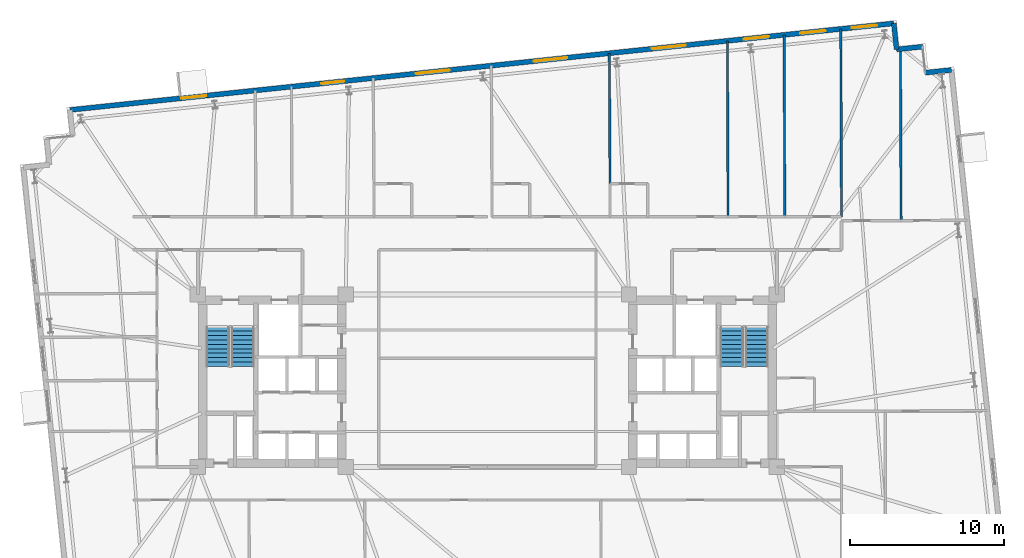
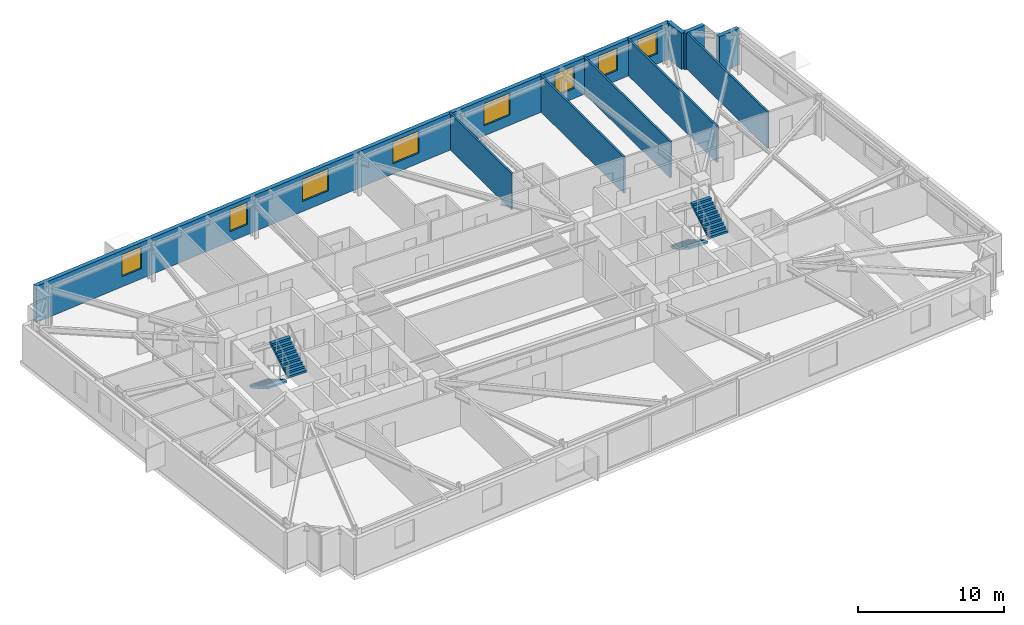
# One storey, part 20 of 23: 9 walls, 8 windows, 4 stair flights, 8 openings, 2 elements without a shape of their own.
"""IFC4 building model written with IfcOpenShell, lengths in metres."""

from ifc_helpers import new_model, si_unit, direction, frame, frame_2d, origin, place, context, subcontext, project, spatial, polyline, rectangle, outline, extrude, material, layer, layer_set, type_object, element, fill, aggregate, save


model = new_model("IFC4")

# Units and contexts
model_context = context("Model", 3, precision=1e-05, world=origin(), true_north=direction((0.0, 1.0)))
body_context = subcontext(model_context, "Body", "Model", "MODEL_VIEW")
ifc_project = project(units=[si_unit("LENGTHUNIT", "METRE"), si_unit("AREAUNIT", "SQUARE_METRE"), si_unit("VOLUMEUNIT", "CUBIC_METRE"), si_unit("PLANEANGLEUNIT", "RADIAN"), si_unit("MASSUNIT", "GRAM", prefix="KILO")], contexts=[model_context])

# Site, building, storey
site_placement = place(None, origin())
site = spatial("IfcSite", under=ifc_project, at=site_placement, CompositionType="ELEMENT")
building_placement = place(site_placement, origin())
building = spatial("IfcBuilding", under=site, at=building_placement, Name="Qobustan Lattice House", CompositionType="ELEMENT")
storey_placement = place(building_placement, frame((0.0, 0.0, 102.449951171875)))
storey = spatial("IfcBuildingStorey", under=building, at=storey_placement, Name="L28", CompositionType="ELEMENT", Elevation=102.449951171875)

# Wall, openings, windows
ifc_material_1 = material(Name="Precast concrete C40/50", Category="concrete")
ifc_layer_1 = layer(ifc_material_1, 0.320068359375)
ifc_layer_set_1 = layer_set([ifc_layer_1], Name="Precast concrete C40/50")
wall_type_1 = type_object("IfcWallType", Name="WAL-EXT-STONE-320", PredefinedType="SOLIDWALL", material=ifc_layer_set_1)
wall_1_placement = place(storey_placement, frame((-27.107421875, 17.585693359375, 0.0), z_axis=(0.0, 0.0, 1.0), x_axis=(0.994521628355, 0.104531003701, 0.0)))
wall_1 = element("IfcWall", 1, at=wall_1_placement, inside=storey, type_object=wall_type_1, Name="L28 exterior limestone-clad wall 10", PredefinedType="SOLIDWALL", context=body_context, shape_type="SweptSolid", body=[
    extrude(rectangle(XDim=53.800048828125, YDim=0.320068359375, at=frame_2d((26.89990234375, 0.0))), origin(), (0.0, 0.0, 1.0), 3.045166015625),
])
opening_1_placement = place(wall_1_placement, frame((7.260986328125, 0.0, 0.85009765625)))
opening_1 = element("IfcOpeningElement", 2, at=opening_1_placement, cuts=wall_1, Name="Opening WN-09", PredefinedType="OPENING", context=body_context, shape_type="SweptSolid", body=[
    extrude(rectangle(XDim=1.64990234375, YDim=1.85009765625, at=frame_2d((0.824951171875, 0.925048828125))), frame((0.0, 0.169921875, 0.0), z_axis=(0.0, -1.0, 0.0), x_axis=(1.0, 0.0, 0.0)), (0.0, 0.0, 1.0), 0.340087890625),
])
opening_2_placement = place(wall_1_placement, frame((16.4228515625, 0.0, 0.85009765625)))
opening_2 = element("IfcOpeningElement", 3, at=opening_2_placement, cuts=wall_1, Name="Opening WN-01", PredefinedType="OPENING", context=body_context, shape_type="SweptSolid", body=[
    extrude(rectangle(XDim=1.5, YDim=1.85009765625, at=frame_2d((0.75, 0.925048828125))), frame((0.0, 0.169921875, 0.0), z_axis=(0.0, -1.0, 0.0), x_axis=(1.0, 0.0, 0.0)), (0.0, 0.0, 1.0), 0.340087890625),
])
opening_3_placement = place(wall_1_placement, frame((22.59765625, 0.0, 0.85009765625)))
opening_3 = element("IfcOpeningElement", 4, at=opening_3_placement, cuts=wall_1, Name="Opening WN-03", PredefinedType="OPENING", context=body_context, shape_type="SweptSolid", body=[
    extrude(rectangle(XDim=2.199951171875, YDim=1.85009765625, at=frame_2d((1.10009765625, 0.925048828125))), frame((0.0, 0.169921875, 0.0), z_axis=(0.0, -1.0, 0.0), x_axis=(1.0, 0.0, 0.0)), (0.0, 0.0, 1.0), 0.340087890625),
])
opening_4_placement = place(wall_1_placement, frame((30.283447265625, 0.0, 0.85009765625)))
opening_4 = element("IfcOpeningElement", 5, at=opening_4_placement, cuts=wall_1, Name="Opening WN-03", PredefinedType="OPENING", context=body_context, shape_type="SweptSolid", body=[
    extrude(rectangle(XDim=2.199951171875, YDim=1.85009765625, at=frame_2d((1.10009765625, 0.925048828125))), frame((0.0, 0.169921875, 0.0), z_axis=(0.0, -1.0, 0.0), x_axis=(1.0, 0.0, 0.0)), (0.0, 0.0, 1.0), 0.340087890625),
])
opening_5_placement = place(wall_1_placement, frame((38.009033203125, 0.0, 0.85009765625)))
opening_5 = element("IfcOpeningElement", 6, at=opening_5_placement, cuts=wall_1, Name="Opening WN-03", PredefinedType="OPENING", context=body_context, shape_type="SweptSolid", body=[
    extrude(rectangle(XDim=2.199951171875, YDim=1.85009765625, at=frame_2d((1.10009765625, 0.925048828125))), frame((0.0, 0.169921875, 0.0), z_axis=(0.0, -1.0, 0.0), x_axis=(1.0, 0.0, 0.0)), (0.0, 0.0, 1.0), 0.340087890625),
])
opening_6_placement = place(wall_1_placement, frame((44.00830078125, 0.0, 0.85009765625)))
opening_6 = element("IfcOpeningElement", 7, at=opening_6_placement, cuts=wall_1, Name="Opening WN-09", PredefinedType="OPENING", context=body_context, shape_type="SweptSolid", body=[
    extrude(rectangle(XDim=1.64990234375, YDim=1.85009765625, at=frame_2d((0.824951171875, 0.925048828125))), frame((0.0, 0.169921875, 0.0), z_axis=(0.0, -1.0, 0.0), x_axis=(1.0, 0.0, 0.0)), (0.0, 0.0, 1.0), 0.340087890625),
])
opening_7_placement = place(wall_1_placement, frame((47.691162109375, 0.0, 0.85009765625)))
opening_7 = element("IfcOpeningElement", 8, at=opening_7_placement, cuts=wall_1, Name="Opening WN-09", PredefinedType="OPENING", context=body_context, shape_type="SweptSolid", body=[
    extrude(rectangle(XDim=1.64990234375, YDim=1.85009765625, at=frame_2d((0.824951171875, 0.925048828125))), frame((0.0, 0.169921875, 0.0), z_axis=(0.0, -1.0, 0.0), x_axis=(1.0, 0.0, 0.0)), (0.0, 0.0, 1.0), 0.340087890625),
])
opening_8_placement = place(wall_1_placement, frame((51.0537109375, 0.0, 0.85009765625)))
opening_8 = element("IfcOpeningElement", 9, at=opening_8_placement, cuts=wall_1, Name="Opening WN-09", PredefinedType="OPENING", context=body_context, shape_type="SweptSolid", body=[
    extrude(rectangle(XDim=1.64990234375, YDim=1.85009765625, at=frame_2d((0.824951171875, 0.925048828125))), frame((0.0, 0.169921875, 0.0), z_axis=(0.0, -1.0, 0.0), x_axis=(1.0, 0.0, 0.0)), (0.0, 0.0, 1.0), 0.340087890625),
])
ifc_material_2 = material(Name="Double-glazed low-E aluminium window", Category="aluminium")
window_type_1 = type_object("IfcWindowType", Name="WIN-BED-1500x1850", PartitioningType="SINGLE_PANEL", PredefinedType="WINDOW", material=ifc_material_2)
window_1_placement = place(opening_2_placement, origin())
window_1 = element("IfcWindow", 10, at=window_1_placement, inside=storey, type_object=window_type_1, Name="L28 Laundry utility room window", OverallHeight=1.85009765625, OverallWidth=1.5, PartitioningType="SINGLE_PANEL", PredefinedType="WINDOW", context=body_context, shape_type="SweptSolid", body=[
    extrude(rectangle(XDim=1.5, YDim=1.85009765625, at=frame_2d((0.75, 0.925048828125))), frame((0.0, 0.030029296875, 0.0), z_axis=(0.0, -1.0, 0.0), x_axis=(1.0, 0.0, 0.0)), (0.0, 0.0, 1.0), 0.06005859375),
])
fill(opening_2, window_1)
ifc_material_3 = material(Name="Double-glazed low-E aluminium window", Category="aluminium")
window_type_2 = type_object("IfcWindowType", Name="WIN-STU-1650x1850", PartitioningType="SINGLE_PANEL", PredefinedType="WINDOW", material=ifc_material_3)
window_2_placement = place(opening_1_placement, origin())
window_2 = element("IfcWindow", 11, at=window_2_placement, inside=storey, type_object=window_type_2, Name="L28 Focus study room N1 window", OverallHeight=1.85009765625, OverallWidth=1.64990234375, PartitioningType="SINGLE_PANEL", PredefinedType="WINDOW", context=body_context, shape_type="SweptSolid", body=[
    extrude(rectangle(XDim=1.64990234375, YDim=1.85009765625, at=frame_2d((0.824951171875, 0.925048828125))), frame((0.0, 0.030029296875, 0.0), z_axis=(0.0, -1.0, 0.0), x_axis=(1.0, 0.0, 0.0)), (0.0, 0.0, 1.0), 0.06005859375),
])
fill(opening_1, window_2)
window_3_placement = place(opening_6_placement, origin())
window_3 = element("IfcWindow", 12, at=window_3_placement, inside=storey, type_object=window_type_2, Name="L28 Focus study room N6A window", OverallHeight=1.85009765625, OverallWidth=1.64990234375, PartitioningType="SINGLE_PANEL", PredefinedType="WINDOW", context=body_context, shape_type="SweptSolid", body=[
    extrude(rectangle(XDim=1.64990234375, YDim=1.85009765625, at=frame_2d((0.824951171875, 0.925048828125))), frame((0.0, 0.030029296875, 0.0), z_axis=(0.0, -1.0, 0.0), x_axis=(1.0, 0.0, 0.0)), (0.0, 0.0, 1.0), 0.06005859375),
])
fill(opening_6, window_3)
window_4_placement = place(opening_7_placement, origin())
window_4 = element("IfcWindow", 13, at=window_4_placement, inside=storey, type_object=window_type_2, Name="L28 Focus study room N6B window", OverallHeight=1.85009765625, OverallWidth=1.64990234375, PartitioningType="SINGLE_PANEL", PredefinedType="WINDOW", context=body_context, shape_type="SweptSolid", body=[
    extrude(rectangle(XDim=1.64990234375, YDim=1.85009765625, at=frame_2d((0.824951171875, 0.925048828125))), frame((0.0, 0.030029296875, 0.0), z_axis=(0.0, -1.0, 0.0), x_axis=(1.0, 0.0, 0.0)), (0.0, 0.0, 1.0), 0.06005859375),
])
fill(opening_7, window_4)
window_5_placement = place(opening_8_placement, origin())
window_5 = element("IfcWindow", 14, at=window_5_placement, inside=storey, type_object=window_type_2, Name="L28 Focus study room E3A window", OverallHeight=1.85009765625, OverallWidth=1.64990234375, PartitioningType="SINGLE_PANEL", PredefinedType="WINDOW", context=body_context, shape_type="SweptSolid", body=[
    extrude(rectangle(XDim=1.64990234375, YDim=1.85009765625, at=frame_2d((0.824951171875, 0.925048828125))), frame((0.0, 0.030029296875, 0.0), z_axis=(0.0, -1.0, 0.0), x_axis=(1.0, 0.0, 0.0)), (0.0, 0.0, 1.0), 0.06005859375),
])
fill(opening_8, window_5)
ifc_material_4 = material(Name="Double-glazed low-E aluminium window", Category="aluminium")
window_type_3 = type_object("IfcWindowType", Name="WIN-WIDE-2200x1850", PartitioningType="SINGLE_PANEL", PredefinedType="WINDOW", material=ifc_material_4)
window_6_placement = place(opening_3_placement, origin())
window_6 = element("IfcWindow", 15, at=window_6_placement, inside=storey, type_object=window_type_3, Name="L28 Kitchenette and studio apartment L28-N3 window", OverallHeight=1.85009765625, OverallWidth=2.199951171875, PartitioningType="SINGLE_PANEL", PredefinedType="WINDOW", context=body_context, shape_type="SweptSolid", body=[
    extrude(rectangle(XDim=2.199951171875, YDim=1.85009765625, at=frame_2d((1.10009765625, 0.925048828125))), frame((0.0, 0.030029296875, 0.0), z_axis=(0.0, -1.0, 0.0), x_axis=(1.0, 0.0, 0.0)), (0.0, 0.0, 1.0), 0.06005859375),
])
fill(opening_3, window_6)
window_7_placement = place(opening_4_placement, origin())
window_7 = element("IfcWindow", 16, at=window_7_placement, inside=storey, type_object=window_type_3, Name="L28 Kitchenette and studio apartment L28-N4 window", OverallHeight=1.85009765625, OverallWidth=2.199951171875, PartitioningType="SINGLE_PANEL", PredefinedType="WINDOW", context=body_context, shape_type="SweptSolid", body=[
    extrude(rectangle(XDim=2.199951171875, YDim=1.85009765625, at=frame_2d((1.10009765625, 0.925048828125))), frame((0.0, 0.030029296875, 0.0), z_axis=(0.0, -1.0, 0.0), x_axis=(1.0, 0.0, 0.0)), (0.0, 0.0, 1.0), 0.06005859375),
])
fill(opening_4, window_7)
window_8_placement = place(opening_5_placement, origin())
window_8 = element("IfcWindow", 17, at=window_8_placement, inside=storey, type_object=window_type_3, Name="L28 Kitchenette and studio apartment L28-N5 window", OverallHeight=1.85009765625, OverallWidth=2.199951171875, PartitioningType="SINGLE_PANEL", PredefinedType="WINDOW", context=body_context, shape_type="SweptSolid", body=[
    extrude(rectangle(XDim=2.199951171875, YDim=1.85009765625, at=frame_2d((1.10009765625, 0.925048828125))), frame((0.0, 0.030029296875, 0.0), z_axis=(0.0, -1.0, 0.0), x_axis=(1.0, 0.0, 0.0)), (0.0, 0.0, 1.0), 0.06005859375),
])
fill(opening_5, window_8)

# Walls
for number, where, z_axis, x_axis, name in (
    (18, (26.39794921875, 23.20947265625, 0.0), (0.0, 0.0, 1.0), (0.104550220202, -0.994519608382, 0.0), "L28 exterior limestone-clad wall 11"),
    (19, (26.57568359375, 21.518798828125, 0.0), (0.0, 0.0, 1.0), (0.994534530939, 0.104408173862, 0.0), "L28 exterior limestone-clad wall 12"),
    (20, (28.444091796875, 20.005615234375, 0.0), (0.0, 0.0, 1.0), (0.994519608382, 0.104550220202, 0.0), "L28 exterior limestone-clad wall 14"),
):
    element("IfcWall", number, at=place(storey_placement, frame(where, z_axis=z_axis, x_axis=x_axis)), inside=storey, type_object=wall_type_1, Name=name, PredefinedType="SOLIDWALL", context=body_context, shape_type="SweptSolid", body=[
        extrude(rectangle(XDim=1.699951171875, YDim=0.320068359375, at=frame_2d((0.85009765625, 0.0))), origin(), (0.0, 0.0, 1.0), 3.045166015625),
    ])
ifc_material_5 = material(Name="Acoustic twin-stud gypsum partition", Category="gypsum")
ifc_layer_2 = layer(ifc_material_5, 0.14990234375)
ifc_layer_set_2 = layer_set([ifc_layer_2], Name="Acoustic twin-stud gypsum partition")
wall_type_2 = type_object("IfcWallType", Name="WAL-PART-150", PredefinedType="PARTITIONING", material=ifc_layer_set_2)
wall_2_placement = place(storey_placement, frame((26.8271484375, 21.545166015625, 0.0), z_axis=(0.0, 0.0, 1.0), x_axis=(0.003938700302, -0.99999224329, 0.0)))
element("IfcWall", 21, at=wall_2_placement, inside=storey, type_object=wall_type_2, Name="L28 interior partition 87", PredefinedType="PARTITIONING", context=body_context, shape_type="SweptSolid", body=[
    extrude(rectangle(XDim=11.1572265625, YDim=0.14990234375, at=frame_2d((5.57861328125, 0.0))), origin(), (0.0, 0.0, 1.0), 3.045166015625),
])
wall_3_placement = place(storey_placement, frame((23.0, 10.64990234375, 0.0), z_axis=(0.0, 0.0, 1.0), x_axis=(-0.0036027147, 0.999993510202, 0.0)))
element("IfcWall", 22, at=wall_3_placement, inside=storey, type_object=wall_type_2, Name="L28 interior partition 88", PredefinedType="PARTITIONING", context=body_context, shape_type="SweptSolid", body=[
    extrude(rectangle(XDim=12.19775390625, YDim=0.14990234375, at=frame_2d((6.098876953125, 0.0))), origin(), (0.0, 0.0, 1.0), 3.045166015625),
])
wall_4_placement = place(storey_placement, frame((7.923095703125, 21.267578125, 0.0), z_axis=(0.0, 0.0, 1.0), x_axis=(0.005189792576, -0.999986532936, 0.0)))
element("IfcWall", 23, at=wall_4_placement, inside=storey, type_object=wall_type_2, Name="L28 interior partition 99", PredefinedType="PARTITIONING", context=body_context, shape_type="SweptSolid", body=[
    extrude(rectangle(XDim=8.467529296875, YDim=0.14990234375, at=frame_2d((4.23388671875, 0.0))), origin(), (0.0, 0.0, 1.0), 3.045166015625),
])
wall_5_placement = place(storey_placement, frame((15.589111328125, 22.0732421875, 0.0), z_axis=(0.0, 0.0, 1.0), x_axis=(0.003846947384, -0.999992600471, 0.0)))
element("IfcWall", 24, at=wall_5_placement, inside=storey, type_object=wall_type_2, Name="L28 interior partition 103", PredefinedType="PARTITIONING", context=body_context, shape_type="SweptSolid", body=[
    extrude(rectangle(XDim=11.42333984375, YDim=0.14990234375, at=frame_2d((5.711669921875, 0.0))), origin(), (0.0, 0.0, 1.0), 3.045166015625),
])
wall_6_placement = place(storey_placement, frame((19.272705078125, 22.46044921875, 0.0), z_axis=(0.0, 0.0, 1.0), x_axis=(0.003700156578, -0.999993154397, 0.0)))
element("IfcWall", 25, at=wall_6_placement, inside=storey, type_object=wall_type_2, Name="L28 interior partition 104", PredefinedType="PARTITIONING", context=body_context, shape_type="SweptSolid", body=[
    extrude(rectangle(XDim=11.810546875, YDim=0.14990234375, at=frame_2d((5.9052734375, 0.0))), origin(), (0.0, 0.0, 1.0), 3.045166015625),
])

# Stair, stair flights
ifc_material_6 = material(Name="Concrete C40/50", Category="concrete")
stair_type = type_object("IfcStairType", Name="STR-CORE-DOGLEG", PredefinedType="HALF_TURN_STAIR", material=ifc_material_6)
stair_1_placement = place(storey_placement, origin())
stair_1 = element("IfcStair", 26, at=stair_1_placement, inside=storey, type_object=stair_type, Name="L28 West protected exit stair ST-W1", PredefinedType="HALF_TURN_STAIR")
ifc_material_7 = material(Name="Concrete C40/50", Category="concrete")
stair_flight_type = type_object("IfcStairFlightType", Name="SFL-RC-1500", PredefinedType="STRAIGHT", material=ifc_material_7)
stair_flight_1_placement = place(storey_placement, frame((-17.5, 3.5, 0.0), z_axis=(0.0, 0.0, 1.0), x_axis=(0.0, -1.0, 0.0)))
stair_flight_1 = element("IfcStairFlight", 27, at=stair_flight_1_placement, type_object=stair_flight_type, Name="ST-W1 flight 1", NumberOfRisers=10, NumberOfTreads=9, PredefinedType="STRAIGHT", RiserHeight=0.1675, TreadLength=0.285, context=body_context, shape_type="SweptSolid", body=[
    extrude(outline(polyline([(0.0, 0.0), (0.0, 0.16748046875), (0.284912109375, 0.16748046875), (0.284912109375, 0.3349609375), (0.570068359375, 0.3349609375), (0.570068359375, 0.50244140625), (0.85498046875, 0.50244140625), (0.85498046875, 0.669921875), (1.139892578125, 0.669921875), (1.139892578125, 0.83740234375), (1.425048828125, 0.83740234375), (1.425048828125, 1.0048828125), (1.7099609375, 1.0048828125), (1.7099609375, 1.172607421875), (1.9951171875, 1.172607421875), (1.9951171875, 1.340087890625), (2.280029296875, 1.340087890625), (2.280029296875, 1.507568359375), (2.56494140625, 1.507568359375), (2.56494140625, 1.675048828125), (2.56494140625, 1.333740234375), (0.2958984375, 0.0), (0.0, 0.0)])), frame((0.0, 0.75, 0.0), z_axis=(0.0, -1.0, 0.0), x_axis=(1.0, 0.0, 0.0)), (0.0, 0.0, 1.0), 1.5),
])
stair_flight_2_placement = place(storey_placement, frame((-15.8798828125, 0.93505859375, 1.675048828125), z_axis=(0.0, 0.0, 1.0), x_axis=(0.0, 1.0, 0.0)))
stair_flight_2 = element("IfcStairFlight", 28, at=stair_flight_2_placement, type_object=stair_flight_type, Name="ST-W1 flight 2", NumberOfRisers=10, NumberOfTreads=9, PredefinedType="STRAIGHT", RiserHeight=0.1675, TreadLength=0.285, context=body_context, shape_type="SweptSolid", body=[
    extrude(outline(polyline([(0.0, 0.0), (0.0, 0.16748046875), (0.284912109375, 0.16748046875), (0.284912109375, 0.3349609375), (0.570068359375, 0.3349609375), (0.570068359375, 0.50244140625), (0.85498046875, 0.50244140625), (0.85498046875, 0.669921875), (1.139892578125, 0.669921875), (1.139892578125, 0.83740234375), (1.425048828125, 0.83740234375), (1.425048828125, 1.0048828125), (1.7099609375, 1.0048828125), (1.7099609375, 1.172607421875), (1.9951171875, 1.172607421875), (1.9951171875, 1.340087890625), (2.280029296875, 1.340087890625), (2.280029296875, 1.507568359375), (2.56494140625, 1.507568359375), (2.56494140625, 1.675048828125), (2.56494140625, 1.333740234375), (0.2958984375, 0.0), (0.0, 0.0)])), frame((0.0, 0.75, 0.0), z_axis=(0.0, -1.0, 0.0), x_axis=(1.0, 0.0, 0.0)), (0.0, 0.0, 1.0), 1.5),
])
aggregate(stair_1, [stair_flight_1, stair_flight_2])

stair_2_placement = place(storey_placement, origin())
stair_2 = element("IfcStair", 29, at=stair_2_placement, inside=storey, type_object=stair_type, Name="L28 East protected exit stair ST-E1", PredefinedType="HALF_TURN_STAIR")
stair_flight_3_placement = place(storey_placement, frame((15.8798828125, 3.5, 0.0), z_axis=(0.0, 0.0, 1.0), x_axis=(0.0, -1.0, 0.0)))
stair_flight_3 = element("IfcStairFlight", 30, at=stair_flight_3_placement, type_object=stair_flight_type, Name="ST-E1 flight 1", NumberOfRisers=10, NumberOfTreads=9, PredefinedType="STRAIGHT", RiserHeight=0.1675, TreadLength=0.285, context=body_context, shape_type="SweptSolid", body=[
    extrude(outline(polyline([(0.0, 0.0), (0.0, 0.16748046875), (0.284912109375, 0.16748046875), (0.284912109375, 0.3349609375), (0.570068359375, 0.3349609375), (0.570068359375, 0.50244140625), (0.85498046875, 0.50244140625), (0.85498046875, 0.669921875), (1.139892578125, 0.669921875), (1.139892578125, 0.83740234375), (1.425048828125, 0.83740234375), (1.425048828125, 1.0048828125), (1.7099609375, 1.0048828125), (1.7099609375, 1.172607421875), (1.9951171875, 1.172607421875), (1.9951171875, 1.340087890625), (2.280029296875, 1.340087890625), (2.280029296875, 1.507568359375), (2.56494140625, 1.507568359375), (2.56494140625, 1.675048828125), (2.56494140625, 1.333740234375), (0.2958984375, 0.0), (0.0, 0.0)])), frame((0.0, 0.75, 0.0), z_axis=(0.0, -1.0, 0.0), x_axis=(1.0, 0.0, 0.0)), (0.0, 0.0, 1.0), 1.5),
])
stair_flight_4_placement = place(storey_placement, frame((17.5, 0.93505859375, 1.675048828125), z_axis=(0.0, 0.0, 1.0), x_axis=(0.0, 1.0, 0.0)))
stair_flight_4 = element("IfcStairFlight", 31, at=stair_flight_4_placement, type_object=stair_flight_type, Name="ST-E1 flight 2", NumberOfRisers=10, NumberOfTreads=9, PredefinedType="STRAIGHT", RiserHeight=0.1675, TreadLength=0.285, context=body_context, shape_type="SweptSolid", body=[
    extrude(outline(polyline([(0.0, 0.0), (0.0, 0.16748046875), (0.284912109375, 0.16748046875), (0.284912109375, 0.3349609375), (0.570068359375, 0.3349609375), (0.570068359375, 0.50244140625), (0.85498046875, 0.50244140625), (0.85498046875, 0.669921875), (1.139892578125, 0.669921875), (1.139892578125, 0.83740234375), (1.425048828125, 0.83740234375), (1.425048828125, 1.0048828125), (1.7099609375, 1.0048828125), (1.7099609375, 1.172607421875), (1.9951171875, 1.172607421875), (1.9951171875, 1.340087890625), (2.280029296875, 1.340087890625), (2.280029296875, 1.507568359375), (2.56494140625, 1.507568359375), (2.56494140625, 1.675048828125), (2.56494140625, 1.333740234375), (0.2958984375, 0.0), (0.0, 0.0)])), frame((0.0, 0.75, 0.0), z_axis=(0.0, -1.0, 0.0), x_axis=(1.0, 0.0, 0.0)), (0.0, 0.0, 1.0), 1.5),
])
aggregate(stair_2, [stair_flight_3, stair_flight_4])

save(model, "model.ifc")
